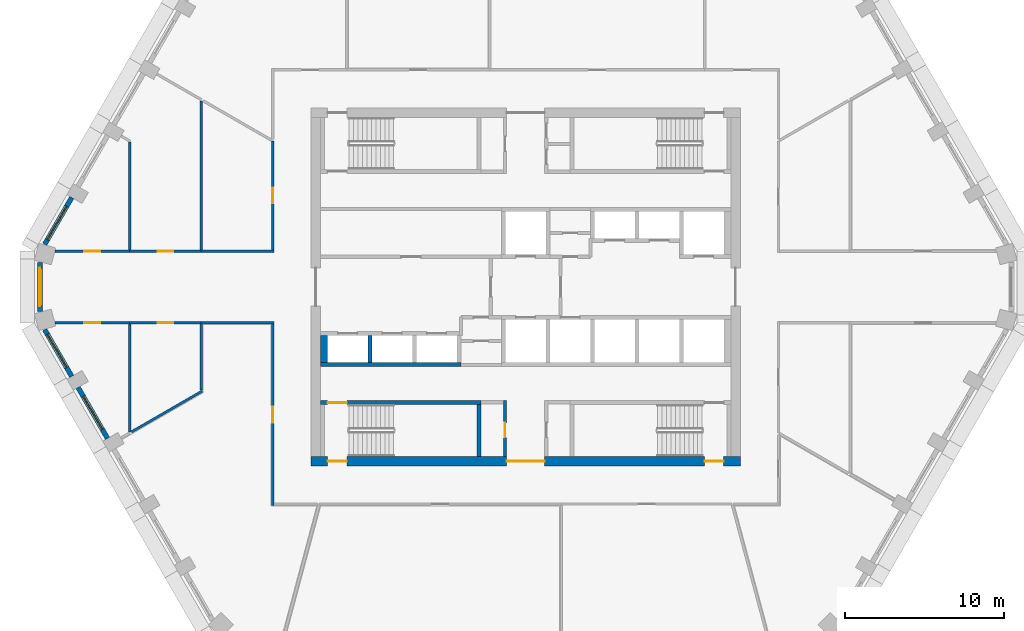
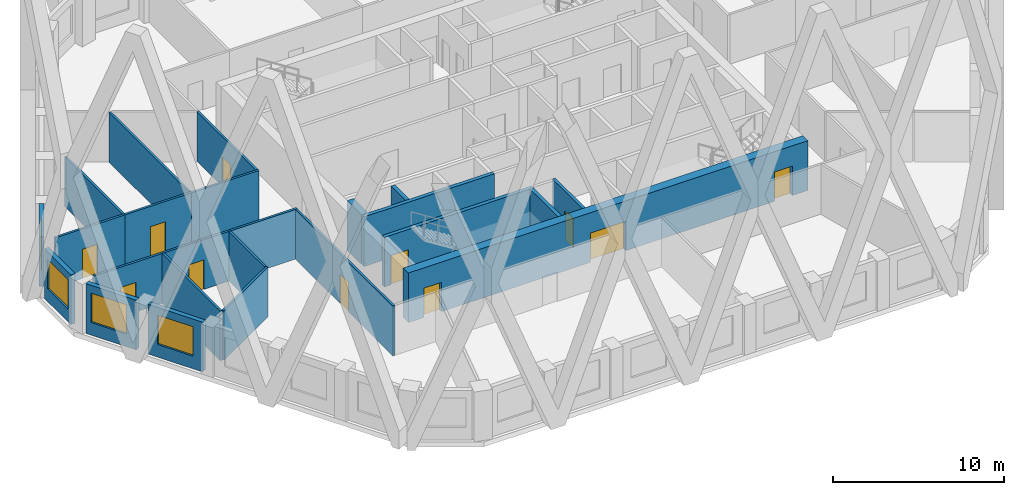
# One storey, part 2 of 15: 24 walls, 11 doors, 4 windows, 15 openings.
"""IFC4 building model written with IfcOpenShell, lengths in metres."""

from ifc_helpers import new_model, si_unit, direction, frame, frame_2d, origin, place, context, subcontext, project, spatial, polyline, rectangle, outline, extrude, material, layer, layer_set, type_object, element, fill, save


model = new_model("IFC4")

# Units and contexts
model_context = context("Model", 3, precision=1e-05, world=origin(), true_north=direction((0.0, 1.0)))
body_context = subcontext(model_context, "Body", "Model", "MODEL_VIEW")
ifc_project = project(units=[si_unit("LENGTHUNIT", "METRE"), si_unit("AREAUNIT", "SQUARE_METRE"), si_unit("VOLUMEUNIT", "CUBIC_METRE"), si_unit("PLANEANGLEUNIT", "RADIAN"), si_unit("MASSUNIT", "GRAM", prefix="KILO")], contexts=[model_context])

# Site, building, storey
site_placement = place(None, origin())
site = spatial("IfcSite", under=ifc_project, at=site_placement, CompositionType="ELEMENT")
building_placement = place(site_placement, origin())
building = spatial("IfcBuilding", under=site, at=building_placement, Name="Dhurran Vertical Campus", CompositionType="ELEMENT")
storey_placement = place(building_placement, frame((0.0, 0.0, 207.300048828125)))
storey = spatial("IfcBuildingStorey", under=building, at=storey_placement, Name="L51", CompositionType="ELEMENT", Elevation=207.300048828125)

# Wall, opening, window
ifc_material_1 = material(Name="Precast concrete C50/60", Category="concrete")
ifc_layer_1 = layer(ifc_material_1, 0.300048828125)
ifc_layer_set_1 = layer_set([ifc_layer_1], Name="Precast concrete C50/60")
wall_type_1 = type_object("IfcWallType", Name="Precast spandrel wall 300", PredefinedType="SOLIDWALL", material=ifc_layer_set_1)
wall_1_placement = place(storey_placement, frame((-28.544189453125, 5.625244140625, 0.0), z_axis=(0.0, 0.0, 1.0), x_axis=(-0.500012868213, -0.866017974191, 0.0)))
wall_1 = element("IfcWall", 1, at=wall_1_placement, inside=storey, type_object=wall_type_1, Name="EW1 L51.32", PredefinedType="SOLIDWALL", context=body_context, shape_type="SweptSolid", body=[
    extrude(rectangle(XDim=3.39599609375, YDim=0.300048828125, at=frame_2d((1.697998046875, 0.0))), origin(), (0.0, 0.0, 1.0), 3.550048828125),
])
opening_1_placement = place(wall_1_placement, frame((0.6494140625, 0.0, 0.89990234375)))
opening_1 = element("IfcOpeningElement", 2, at=opening_1_placement, cuts=wall_1, Name="Opening WT1", PredefinedType="OPENING", context=body_context, shape_type="SweptSolid", body=[
    extrude(rectangle(XDim=2.39990234375, YDim=2.10009765625, at=frame_2d((1.199951171875, 1.050048828125))), frame((0.0, 0.159912109375, 0.0), z_axis=(0.0, -1.0, 0.0), x_axis=(1.0, 0.0, 0.0)), (0.0, 0.0, 1.0), 0.320068359375),
])
ifc_material_2 = material(Name="Aluminium frame with solar-control glass", Category="aluminium")
window_type = type_object("IfcWindowType", Name="Punched window 2400 x 2100", PartitioningType="SINGLE_PANEL", PredefinedType="WINDOW", material=ifc_material_2)
window_1_placement = place(opening_1_placement, origin())
window_1 = element("IfcWindow", 3, at=window_1_placement, inside=storey, type_object=window_type, Name="WT1 L51.32", OverallHeight=2.10009765625, OverallWidth=2.39990234375, PartitioningType="SINGLE_PANEL", PredefinedType="WINDOW", context=body_context, shape_type="SweptSolid", body=[
    extrude(rectangle(XDim=2.39990234375, YDim=2.10009765625, at=frame_2d((1.199951171875, 1.050048828125))), frame((0.0, 0.030029296875, 0.0), z_axis=(0.0, -1.0, 0.0), x_axis=(1.0, 0.0, 0.0)), (0.0, 0.0, 1.0), 0.06005859375),
])
fill(opening_1, window_1)

wall_2_placement = place(storey_placement, frame((-30.547119140625, 1.54638671875, 0.0), z_axis=(0.0, 0.0, 1.0), x_axis=(0.0, -1.0, 0.0)))
wall_2 = element("IfcWall", 4, at=wall_2_placement, inside=storey, type_object=wall_type_1, Name="EW1 L51.33", PredefinedType="SOLIDWALL", context=body_context, shape_type="SweptSolid", body=[
    extrude(rectangle(XDim=3.0927734375, YDim=0.300048828125, at=frame_2d((1.54638671875, 0.0))), origin(), (0.0, 0.0, 1.0), 3.550048828125),
])
opening_2_placement = place(wall_2_placement, frame((0.34619140625, 0.0, 0.89990234375)))
opening_2 = element("IfcOpeningElement", 5, at=opening_2_placement, cuts=wall_2, Name="Opening WT1", PredefinedType="OPENING", context=body_context, shape_type="SweptSolid", body=[
    extrude(rectangle(XDim=2.39990234375, YDim=2.10009765625, at=frame_2d((1.199951171875, 1.050048828125))), frame((0.0, 0.159912109375, 0.0), z_axis=(0.0, -1.0, 0.0), x_axis=(1.0, 0.0, 0.0)), (0.0, 0.0, 1.0), 0.320068359375),
])
window_2_placement = place(opening_2_placement, origin())
window_2 = element("IfcWindow", 6, at=window_2_placement, inside=storey, type_object=window_type, Name="WT1 L51.33", OverallHeight=2.10009765625, OverallWidth=2.39990234375, PartitioningType="SINGLE_PANEL", PredefinedType="WINDOW", context=body_context, shape_type="SweptSolid", body=[
    extrude(rectangle(XDim=2.39990234375, YDim=2.10009765625, at=frame_2d((1.199951171875, 1.050048828125))), frame((0.0, 0.030029296875, 0.0), z_axis=(0.0, -1.0, 0.0), x_axis=(1.0, 0.0, 0.0)), (0.0, 0.0, 1.0), 0.06005859375),
])
fill(opening_2, window_2)

wall_3_placement = place(storey_placement, frame((-30.2421875, -2.684326171875, 0.0), z_axis=(0.0, 0.0, 1.0), x_axis=(0.500012868213, -0.866017974191, 0.0)))
wall_3 = element("IfcWall", 7, at=wall_3_placement, inside=storey, type_object=wall_type_1, Name="EW1 L51.34", PredefinedType="SOLIDWALL", context=body_context, shape_type="SweptSolid", body=[
    extrude(rectangle(XDim=3.39599609375, YDim=0.300048828125, at=frame_2d((1.697998046875, 0.0))), origin(), (0.0, 0.0, 1.0), 3.550048828125),
])
opening_3_placement = place(wall_3_placement, frame((0.346435546875, 0.0, 0.89990234375)))
opening_3 = element("IfcOpeningElement", 8, at=opening_3_placement, cuts=wall_3, Name="Opening WT1", PredefinedType="OPENING", context=body_context, shape_type="SweptSolid", body=[
    extrude(rectangle(XDim=2.39990234375, YDim=2.10009765625, at=frame_2d((1.199951171875, 1.050048828125))), frame((0.0, 0.159912109375, 0.0), z_axis=(0.0, -1.0, 0.0), x_axis=(1.0, 0.0, 0.0)), (0.0, 0.0, 1.0), 0.320068359375),
])
window_3_placement = place(opening_3_placement, origin())
window_3 = element("IfcWindow", 9, at=window_3_placement, inside=storey, type_object=window_type, Name="WT1 L51.34", OverallHeight=2.10009765625, OverallWidth=2.39990234375, PartitioningType="SINGLE_PANEL", PredefinedType="WINDOW", context=body_context, shape_type="SweptSolid", body=[
    extrude(rectangle(XDim=2.39990234375, YDim=2.10009765625, at=frame_2d((1.199951171875, 1.050048828125))), frame((0.0, 0.030029296875, 0.0), z_axis=(0.0, -1.0, 0.0), x_axis=(1.0, 0.0, 0.0)), (0.0, 0.0, 1.0), 0.06005859375),
])
fill(opening_3, window_3)

wall_4_placement = place(storey_placement, frame((-28.143798828125, -6.319091796875, 0.0), z_axis=(0.0, 0.0, 1.0), x_axis=(0.500029062817, -0.866008623709, 0.0)))
wall_4 = element("IfcWall", 10, at=wall_4_placement, inside=storey, type_object=wall_type_1, Name="EW1 L51.35", PredefinedType="SOLIDWALL", context=body_context, shape_type="SweptSolid", body=[
    extrude(rectangle(XDim=3.698974609375, YDim=0.300048828125, at=frame_2d((1.849609375, 0.0))), origin(), (0.0, 0.0, 1.0), 3.550048828125),
])
opening_4_placement = place(wall_4_placement, frame((0.6494140625, 0.0, 0.89990234375)))
opening_4 = element("IfcOpeningElement", 11, at=opening_4_placement, cuts=wall_4, Name="Opening WT1", PredefinedType="OPENING", context=body_context, shape_type="SweptSolid", body=[
    extrude(rectangle(XDim=2.39990234375, YDim=2.10009765625, at=frame_2d((1.199951171875, 1.050048828125))), frame((0.0, 0.159912109375, 0.0), z_axis=(0.0, -1.0, 0.0), x_axis=(1.0, 0.0, 0.0)), (0.0, 0.0, 1.0), 0.320068359375),
])
window_4_placement = place(opening_4_placement, origin())
window_4 = element("IfcWindow", 12, at=window_4_placement, inside=storey, type_object=window_type, Name="WT1 L51.35", OverallHeight=2.10009765625, OverallWidth=2.39990234375, PartitioningType="SINGLE_PANEL", PredefinedType="WINDOW", context=body_context, shape_type="SweptSolid", body=[
    extrude(rectangle(XDim=2.39990234375, YDim=2.10009765625, at=frame_2d((1.199951171875, 1.050048828125))), frame((0.0, 0.030029296875, 0.0), z_axis=(0.0, -1.0, 0.0), x_axis=(1.0, 0.0, 0.0)), (0.0, 0.0, 1.0), 0.06005859375),
])
fill(opening_4, window_4)

# Wall, openings, doors
ifc_material_3 = material(Name="Concrete C50/60", Category="concrete")
ifc_layer_2 = layer(ifc_material_3, 0.60009765625)
ifc_layer_set_2 = layer_set([ifc_layer_2], Name="Concrete C50/60")
wall_type_2 = type_object("IfcWallType", Name="co-CORE-WALL-C2-600", PredefinedType="SHEAR", material=ifc_layer_set_2)
wall_5_placement = place(storey_placement, frame((-13.5, -10.949951171875, 0.0), z_axis=(0.0, 0.0, 1.0), x_axis=(1.0, 0.0, 0.0)))
wall_5 = element("IfcWall", 13, at=wall_5_placement, inside=storey, type_object=wall_type_2, Name="Core wall S L51", PredefinedType="SHEAR", context=body_context, shape_type="SweptSolid", body=[
    extrude(rectangle(XDim=27.0, YDim=0.60009765625, at=frame_2d((13.5, 0.0))), origin(), (0.0, 0.0, 1.0), 3.550048828125),
])
opening_5_placement = place(wall_5_placement, frame((12.300048828125, 0.0, 0.0)))
opening_5 = element("IfcOpeningElement", 14, at=opening_5_placement, cuts=wall_5, Name="Opening CV2", PredefinedType="OPENING", context=body_context, shape_type="SweptSolid", body=[
    extrude(rectangle(XDim=2.39990234375, YDim=2.10009765625, at=frame_2d((1.199951171875, 1.050048828125))), frame((0.0, 0.31005859375, 0.0), z_axis=(0.0, -1.0, 0.0), x_axis=(1.0, 0.0, 0.0)), (0.0, 0.0, 1.0), 0.6201171875),
])
opening_6_placement = place(wall_5_placement, frame((1.050048828125, 0.0, 0.0)))
opening_6 = element("IfcOpeningElement", 15, at=opening_6_placement, cuts=wall_5, Name="Opening XD3", PredefinedType="OPENING", context=body_context, shape_type="SweptSolid", body=[
    extrude(rectangle(XDim=1.199951171875, YDim=2.10009765625, at=frame_2d((0.60009765625, 1.050048828125))), frame((0.0, 0.31005859375, 0.0), z_axis=(0.0, -1.0, 0.0), x_axis=(1.0, 0.0, 0.0)), (0.0, 0.0, 1.0), 0.6201171875),
])
opening_7_placement = place(wall_5_placement, frame((24.75, 0.0, 0.0)))
opening_7 = element("IfcOpeningElement", 16, at=opening_7_placement, cuts=wall_5, Name="Opening XD4", PredefinedType="OPENING", context=body_context, shape_type="SweptSolid", body=[
    extrude(rectangle(XDim=1.199951171875, YDim=2.10009765625, at=frame_2d((0.60009765625, 1.050048828125))), frame((0.0, 0.31005859375, 0.0), z_axis=(0.0, -1.0, 0.0), x_axis=(1.0, 0.0, 0.0)), (0.0, 0.0, 1.0), 0.6201171875),
])
ifc_material_4 = material(Name="Fire-rated glazed door set")
door_type_1 = type_object("IfcDoorType", Name="co-D-LOBBY 2400x2100", OperationType="DOUBLE_DOOR_DOUBLE_SWING", PredefinedType="DOOR", material=ifc_material_4)
door_1_placement = place(opening_5_placement, origin())
door_1 = element("IfcDoor", 17, at=door_1_placement, inside=storey, type_object=door_type_1, Name="Core vestibule door S L51", OperationType="DOUBLE_DOOR_DOUBLE_SWING", OverallHeight=2.10009765625, OverallWidth=2.39990234375, PredefinedType="DOOR", context=body_context, shape_type="SweptSolid", body=[
    extrude(rectangle(XDim=2.39990234375, YDim=2.10009765625, at=frame_2d((1.199951171875, 1.050048828125))), frame((0.0, 0.02490234375, 0.0), z_axis=(0.0, -1.0, 0.0), x_axis=(1.0, 0.0, 0.0)), (0.0, 0.0, 1.0), 0.050048828125),
])
fill(opening_5, door_1)
ifc_material_5 = material(Name="Fire-rated steel door set", Category="steel")
door_type_2 = type_object("IfcDoorType", Name="co-D-STAIR-EXIT 1200x2100", OperationType="SINGLE_SWING_RIGHT", PredefinedType="DOOR", material=ifc_material_5)
door_2_placement = place(opening_6_placement, origin())
door_2 = element("IfcDoor", 18, at=door_2_placement, inside=storey, type_object=door_type_2, Name="Stair ST3 exit door L51", OperationType="SINGLE_SWING_RIGHT", OverallHeight=2.10009765625, OverallWidth=1.199951171875, PredefinedType="DOOR", context=body_context, shape_type="SweptSolid", body=[
    extrude(rectangle(XDim=1.199951171875, YDim=2.10009765625, at=frame_2d((0.60009765625, 1.050048828125))), frame((0.0, 0.02490234375, 0.0), z_axis=(0.0, -1.0, 0.0), x_axis=(1.0, 0.0, 0.0)), (0.0, 0.0, 1.0), 0.050048828125),
])
fill(opening_6, door_2)
door_3_placement = place(opening_7_placement, origin())
door_3 = element("IfcDoor", 19, at=door_3_placement, inside=storey, type_object=door_type_2, Name="Stair ST4 exit door L51", OperationType="SINGLE_SWING_RIGHT", OverallHeight=2.10009765625, OverallWidth=1.199951171875, PredefinedType="DOOR", context=body_context, shape_type="SweptSolid", body=[
    extrude(rectangle(XDim=1.199951171875, YDim=2.10009765625, at=frame_2d((0.60009765625, 1.050048828125))), frame((0.0, 0.02490234375, 0.0), z_axis=(0.0, -1.0, 0.0), x_axis=(1.0, 0.0, 0.0)), (0.0, 0.0, 1.0), 0.050048828125),
])
fill(opening_7, door_3)

# Wall, opening, door
ifc_material_6 = material(Name="Fire-rated masonry blockwork", Category="masonry")
ifc_layer_3 = layer(ifc_material_6, 0.199951171875)
ifc_layer_set_3 = layer_set([ifc_layer_3], Name="Fire-rated masonry blockwork")
wall_type_3 = type_object("IfcWallType", Name="co-FIRE-PARTITION-200", PredefinedType="PARTITIONING", material=ifc_layer_set_3)
wall_6_placement = place(storey_placement, frame((-1.300048828125, -10.64990234375, 0.0), z_axis=(0.0, 0.0, 1.0), x_axis=(0.0, 1.0, 0.0)))
wall_6 = element("IfcWall", 20, at=wall_6_placement, inside=storey, type_object=wall_type_3, Name="Core partition vest-SW L51", PredefinedType="PARTITIONING", context=body_context, shape_type="SweptSolid", body=[
    extrude(rectangle(XDim=3.5, YDim=0.199951171875, at=frame_2d((1.75, 0.0))), origin(), (0.0, 0.0, 1.0), 3.550048828125),
])
opening_8_placement = place(wall_6_placement, frame((1.199951171875, 0.0, 0.0)))
opening_8 = element("IfcOpeningElement", 21, at=opening_8_placement, cuts=wall_6, Name="Opening T15-C1", PredefinedType="OPENING", context=body_context, shape_type="SweptSolid", body=[
    extrude(rectangle(XDim=0.89990234375, YDim=2.10009765625, at=frame_2d((0.449951171875, 1.050048828125))), frame((0.0, 0.10986328125, 0.0), z_axis=(0.0, -1.0, 0.0), x_axis=(1.0, 0.0, 0.0)), (0.0, 0.0, 1.0), 0.219970703125),
])
ifc_material_7 = material(Name="Fire-rated timber door set", Category="wood")
door_type_3 = type_object("IfcDoorType", Name="co-D-ROOM 900x2100", OperationType="SINGLE_SWING_LEFT", PredefinedType="DOOR", material=ifc_material_7)
door_4_placement = place(opening_8_placement, origin())
door_4 = element("IfcDoor", 22, at=door_4_placement, inside=storey, type_object=door_type_3, Name="Waste room door L51", OperationType="SINGLE_SWING_LEFT", OverallHeight=2.10009765625, OverallWidth=0.89990234375, PredefinedType="DOOR", context=body_context, shape_type="SweptSolid", body=[
    extrude(rectangle(XDim=0.89990234375, YDim=2.10009765625, at=frame_2d((0.449951171875, 1.050048828125))), frame((0.0, 0.02490234375, 0.0), z_axis=(0.0, -1.0, 0.0), x_axis=(1.0, 0.0, 0.0)), (0.0, 0.0, 1.0), 0.050048828125),
])
fill(opening_8, door_4)

# Walls
ifc_material_8 = material(Name="Concrete C50/60", Category="concrete")
ifc_layer_4 = layer(ifc_material_8, 0.25)
ifc_layer_set_4 = layer_set([ifc_layer_4], Name="Concrete C50/60")
wall_type_4 = type_object("IfcWallType", Name="co-SHAFT-MASS-250", PredefinedType="SHEAR", material=ifc_layer_set_4)
wall_7_placement = place(storey_placement, origin())
element("IfcWall", 23, at=wall_7_placement, inside=storey, type_object=wall_type_4, Name="Lift shaft wall S L51 1", PredefinedType="SHEAR", context=body_context, shape_type="SweptSolid", body=[
    extrude(outline(polyline([(-12.89990234375, -5.0), (-4.074951171875, -5.0), (-4.074951171875, -4.75), (-12.89990234375, -4.75), (-12.89990234375, -5.0)])), origin(), (0.0, 0.0, 1.0), 3.550048828125),
])
wall_8_placement = place(storey_placement, origin())
element("IfcWall", 24, at=wall_8_placement, inside=storey, type_object=wall_type_4, Name="Lift shaft wall S L51 3", PredefinedType="SHEAR", context=body_context, shape_type="SweptSolid", body=[
    extrude(outline(polyline([(-12.89990234375, -4.75), (-12.47509765625, -4.75), (-12.47509765625, -3.050048828125), (-12.89990234375, -3.050048828125), (-12.89990234375, -4.75)])), origin(), (0.0, 0.0, 1.0), 3.550048828125),
])
wall_9_placement = place(storey_placement, origin())
element("IfcWall", 25, at=wall_9_placement, inside=storey, type_object=wall_type_4, Name="Lift shaft wall S L51 4", PredefinedType="SHEAR", context=body_context, shape_type="SweptSolid", body=[
    extrude(outline(polyline([(-9.925048828125, -4.75), (-9.675048828125, -4.75), (-9.675048828125, -3.050048828125), (-9.925048828125, -3.050048828125), (-9.925048828125, -4.75)])), origin(), (0.0, 0.0, 1.0), 3.550048828125),
])

# Wall, opening, door
ifc_material_9 = material(Name="Concrete C40/50", Category="concrete")
ifc_layer_5 = layer(ifc_material_9, 0.25)
ifc_layer_set_5 = layer_set([ifc_layer_5], Name="Concrete C40/50")
wall_type_5 = type_object("IfcWallType", Name="co-STAIR-WALL-250", PredefinedType="SHEAR", material=ifc_layer_set_5)
wall_10_placement = place(storey_placement, frame((-12.89990234375, -7.27490234375, 0.0), z_axis=(0.0, 0.0, 1.0), x_axis=(1.0, 0.0, 0.0)))
wall_10 = element("IfcWall", 26, at=wall_10_placement, inside=storey, type_object=wall_type_5, Name="Stair ST3 enclosure wall L51", PredefinedType="SHEAR", context=body_context, shape_type="SweptSolid", body=[
    extrude(rectangle(XDim=10.099853515625, YDim=0.25, at=frame_2d((5.0498046875, 0.0))), origin(), (0.0, 0.0, 1.0), 3.550048828125),
])
opening_9_placement = place(wall_10_placement, frame((0.449951171875, 0.0, 0.0)))
opening_9 = element("IfcOpeningElement", 27, at=opening_9_placement, cuts=wall_10, Name="Opening SD3", PredefinedType="OPENING", context=body_context, shape_type="SweptSolid", body=[
    extrude(rectangle(XDim=1.199951171875, YDim=2.10009765625, at=frame_2d((0.60009765625, 1.050048828125))), frame((0.0, 0.135009765625, 0.0), z_axis=(0.0, -1.0, 0.0), x_axis=(1.0, 0.0, 0.0)), (0.0, 0.0, 1.0), 0.27001953125),
])
ifc_material_10 = material(Name="Fire-rated steel door set", Category="steel")
door_type_4 = type_object("IfcDoorType", Name="co-D-STAIR 1200x2100", OperationType="SINGLE_SWING_LEFT", PredefinedType="DOOR", material=ifc_material_10)
door_5_placement = place(opening_9_placement, origin())
door_5 = element("IfcDoor", 28, at=door_5_placement, inside=storey, type_object=door_type_4, Name="Stair ST3 door L51", OperationType="SINGLE_SWING_LEFT", OverallHeight=2.10009765625, OverallWidth=1.199951171875, PredefinedType="DOOR", context=body_context, shape_type="SweptSolid", body=[
    extrude(rectangle(XDim=1.199951171875, YDim=2.10009765625, at=frame_2d((0.60009765625, 1.050048828125))), frame((0.0, 0.02490234375, 0.0), z_axis=(0.0, -1.0, 0.0), x_axis=(1.0, 0.0, 0.0)), (0.0, 0.0, 1.0), 0.050048828125),
])
fill(opening_9, door_5)

# Wall
wall_11_placement = place(storey_placement, frame((-2.925048828125, -10.64990234375, 0.0), z_axis=(0.0, 0.0, 1.0), x_axis=(0.0, 1.0, 0.0)))
element("IfcWall", 29, at=wall_11_placement, inside=storey, type_object=wall_type_5, Name="Stair ST3 enclosure wall L51", PredefinedType="SHEAR", context=body_context, shape_type="SweptSolid", body=[
    extrude(rectangle(XDim=3.25, YDim=0.25, at=frame_2d((1.625, 0.0))), origin(), (0.0, 0.0, 1.0), 3.550048828125),
])

# Wall, opening, door
ifc_material_11 = material(Name="Gypsum board corridor wall on steel studs", Category="steel")
ifc_layer_6 = layer(ifc_material_11, 0.14990234375)
ifc_layer_set_6 = layer_set([ifc_layer_6], Name="Gypsum board corridor wall on steel studs")
wall_type_6 = type_object("IfcWallType", Name="fl-CW-150 corridor wall", PredefinedType="PARTITIONING", material=ifc_layer_set_6)
wall_12_placement = place(storey_placement, frame((-24.89990234375, -2.25, 0.0), z_axis=(0.0, 0.0, 1.0), x_axis=(-1.0, 0.0, 0.0)))
wall_12 = element("IfcWall", 30, at=wall_12_placement, inside=storey, type_object=wall_type_6, Name="Partition 51-01", PredefinedType="PARTITIONING", context=body_context, shape_type="SweptSolid", body=[
    extrude(rectangle(XDim=4.68505859375, YDim=0.14990234375, at=frame_2d((2.342529296875, 0.0))), origin(), (0.0, 0.0, 1.0), 3.550048828125),
])
opening_10_placement = place(wall_12_placement, frame((1.842529296875, 0.0, 0.0)))
opening_10 = element("IfcOpeningElement", 31, at=opening_10_placement, cuts=wall_12, Name="Opening T15.01", PredefinedType="OPENING", context=body_context, shape_type="SweptSolid", body=[
    extrude(rectangle(XDim=1.0, YDim=2.10009765625, at=frame_2d((0.5, 1.050048828125))), frame((0.0, 0.0849609375, 0.0), z_axis=(0.0, -1.0, 0.0), x_axis=(1.0, 0.0, 0.0)), (0.0, 0.0, 1.0), 0.169921875),
])
ifc_material_12 = material(Name="Solid-core timber door set, fire-rated", Category="wood")
door_type_5 = type_object("IfcDoorType", Name="fl-D-1000x2100", OperationType="SINGLE_SWING_LEFT", PredefinedType="DOOR", material=ifc_material_12)
door_6_placement = place(opening_10_placement, origin())
door_6 = element("IfcDoor", 32, at=door_6_placement, inside=storey, type_object=door_type_5, Name="Door 51.01", OperationType="SINGLE_SWING_RIGHT", OverallHeight=2.10009765625, OverallWidth=1.0, PredefinedType="DOOR", context=body_context, shape_type="SweptSolid", body=[
    extrude(rectangle(XDim=1.0, YDim=2.10009765625, at=frame_2d((0.5, 1.050048828125))), frame((0.0, 0.02490234375, 0.0), z_axis=(0.0, -1.0, 0.0), x_axis=(1.0, 0.0, 0.0)), (0.0, 0.0, 1.0), 0.050048828125),
])
fill(opening_10, door_6)

wall_13_placement = place(storey_placement, frame((-29.5849609375, 2.25, 0.0), z_axis=(0.0, 0.0, 1.0), x_axis=(1.0, 0.0, 0.0)))
wall_13 = element("IfcWall", 33, at=wall_13_placement, inside=storey, type_object=wall_type_6, Name="Partition 51-02", PredefinedType="PARTITIONING", context=body_context, shape_type="SweptSolid", body=[
    extrude(rectangle(XDim=4.68505859375, YDim=0.14990234375, at=frame_2d((2.342529296875, 0.0))), origin(), (0.0, 0.0, 1.0), 3.550048828125),
])
opening_11_placement = place(wall_13_placement, frame((1.842529296875, 0.0, 0.0)))
opening_11 = element("IfcOpeningElement", 34, at=opening_11_placement, cuts=wall_13, Name="Opening T15.02", PredefinedType="OPENING", context=body_context, shape_type="SweptSolid", body=[
    extrude(rectangle(XDim=1.0, YDim=2.10009765625, at=frame_2d((0.5, 1.050048828125))), frame((0.0, 0.0849609375, 0.0), z_axis=(0.0, -1.0, 0.0), x_axis=(1.0, 0.0, 0.0)), (0.0, 0.0, 1.0), 0.169921875),
])
door_7_placement = place(opening_11_placement, origin())
door_7 = element("IfcDoor", 35, at=door_7_placement, inside=storey, type_object=door_type_5, Name="Door 51.02", OperationType="SINGLE_SWING_LEFT", OverallHeight=2.10009765625, OverallWidth=1.0, PredefinedType="DOOR", context=body_context, shape_type="SweptSolid", body=[
    extrude(rectangle(XDim=1.0, YDim=2.10009765625, at=frame_2d((0.5, 1.050048828125))), frame((0.0, 0.02490234375, 0.0), z_axis=(0.0, -1.0, 0.0), x_axis=(1.0, 0.0, 0.0)), (0.0, 0.0, 1.0), 0.050048828125),
])
fill(opening_11, door_7)

wall_14_placement = place(storey_placement, frame((-20.39990234375, -2.25, 0.0), z_axis=(0.0, 0.0, 1.0), x_axis=(-1.0, 0.0, 0.0)))
wall_14 = element("IfcWall", 36, at=wall_14_placement, inside=storey, type_object=wall_type_6, Name="Partition 51-07", PredefinedType="PARTITIONING", context=body_context, shape_type="SweptSolid", body=[
    extrude(rectangle(XDim=4.5, YDim=0.14990234375, at=frame_2d((2.25, 0.0))), origin(), (0.0, 0.0, 1.0), 3.550048828125),
])
opening_12_placement = place(wall_14_placement, frame((1.75, 0.0, 0.0)))
opening_12 = element("IfcOpeningElement", 37, at=opening_12_placement, cuts=wall_14, Name="Opening T15.03", PredefinedType="OPENING", context=body_context, shape_type="SweptSolid", body=[
    extrude(rectangle(XDim=1.0, YDim=2.10009765625, at=frame_2d((0.5, 1.050048828125))), frame((0.0, 0.0849609375, 0.0), z_axis=(0.0, -1.0, 0.0), x_axis=(1.0, 0.0, 0.0)), (0.0, 0.0, 1.0), 0.169921875),
])
door_8_placement = place(opening_12_placement, origin())
door_8 = element("IfcDoor", 38, at=door_8_placement, inside=storey, type_object=door_type_5, Name="Door 51.03", OperationType="SINGLE_SWING_RIGHT", OverallHeight=2.10009765625, OverallWidth=1.0, PredefinedType="DOOR", context=body_context, shape_type="SweptSolid", body=[
    extrude(rectangle(XDim=1.0, YDim=2.10009765625, at=frame_2d((0.5, 1.050048828125))), frame((0.0, 0.02490234375, 0.0), z_axis=(0.0, -1.0, 0.0), x_axis=(1.0, 0.0, 0.0)), (0.0, 0.0, 1.0), 0.050048828125),
])
fill(opening_12, door_8)

wall_15_placement = place(storey_placement, frame((-24.89990234375, 2.25, 0.0), z_axis=(0.0, 0.0, 1.0), x_axis=(1.0, 0.0, 0.0)))
wall_15 = element("IfcWall", 39, at=wall_15_placement, inside=storey, type_object=wall_type_6, Name="Partition 51-09", PredefinedType="PARTITIONING", context=body_context, shape_type="SweptSolid", body=[
    extrude(rectangle(XDim=4.5, YDim=0.14990234375, at=frame_2d((2.25, 0.0))), origin(), (0.0, 0.0, 1.0), 3.550048828125),
])
opening_13_placement = place(wall_15_placement, frame((1.75, 0.0, 0.0)))
opening_13 = element("IfcOpeningElement", 40, at=opening_13_placement, cuts=wall_15, Name="Opening T15.04", PredefinedType="OPENING", context=body_context, shape_type="SweptSolid", body=[
    extrude(rectangle(XDim=1.0, YDim=2.10009765625, at=frame_2d((0.5, 1.050048828125))), frame((0.0, 0.0849609375, 0.0), z_axis=(0.0, -1.0, 0.0), x_axis=(1.0, 0.0, 0.0)), (0.0, 0.0, 1.0), 0.169921875),
])
door_9_placement = place(opening_13_placement, origin())
door_9 = element("IfcDoor", 41, at=door_9_placement, inside=storey, type_object=door_type_5, Name="Door 51.04", OperationType="SINGLE_SWING_RIGHT", OverallHeight=2.10009765625, OverallWidth=1.0, PredefinedType="DOOR", context=body_context, shape_type="SweptSolid", body=[
    extrude(rectangle(XDim=1.0, YDim=2.10009765625, at=frame_2d((0.5, 1.050048828125))), frame((0.0, 0.02490234375, 0.0), z_axis=(0.0, -1.0, 0.0), x_axis=(1.0, 0.0, 0.0)), (0.0, 0.0, 1.0), 0.050048828125),
])
fill(opening_13, door_9)

# Walls
for number, where, z_axis, x_axis, name in (
    (42, (-15.824951171875, -2.25, 0.0), (0.0, 0.0, 1.0), (-1.0, 0.0, 0.0), "Partition 51-12"),
    (43, (-20.39990234375, 2.25, 0.0), (0.0, 0.0, 1.0), (1.0, 0.0, 0.0), "Partition 51-14"),
):
    element("IfcWall", number, at=place(storey_placement, frame(where, z_axis=z_axis, x_axis=x_axis)), inside=storey, type_object=wall_type_6, Name=name, PredefinedType="PARTITIONING", context=body_context, shape_type="SweptSolid", body=[
        extrude(rectangle(XDim=4.574951171875, YDim=0.14990234375, at=frame_2d((2.28759765625, 0.0))), origin(), (0.0, 0.0, 1.0), 3.550048828125),
    ])

# Wall, opening, door
wall_16_placement = place(storey_placement, frame((-15.89990234375, -2.324951171875, 0.0), z_axis=(0.0, 0.0, 1.0), x_axis=(0.0, -1.0, 0.0)))
wall_16 = element("IfcWall", 44, at=wall_16_placement, inside=storey, type_object=wall_type_6, Name="Partition 51-16", PredefinedType="PARTITIONING", context=body_context, shape_type="SweptSolid", body=[
    extrude(rectangle(XDim=11.400146484375, YDim=0.14990234375, at=frame_2d((5.7001953125, 0.0))), origin(), (0.0, 0.0, 1.0), 3.550048828125),
])
opening_14_placement = place(wall_16_placement, frame((5.199951171875, 0.0, 0.0)))
opening_14 = element("IfcOpeningElement", 45, at=opening_14_placement, cuts=wall_16, Name="Opening T15.05", PredefinedType="OPENING", context=body_context, shape_type="SweptSolid", body=[
    extrude(rectangle(XDim=1.0, YDim=2.10009765625, at=frame_2d((0.5, 1.050048828125))), frame((0.0, 0.0849609375, 0.0), z_axis=(0.0, -1.0, 0.0), x_axis=(1.0, 0.0, 0.0)), (0.0, 0.0, 1.0), 0.169921875),
])
door_10_placement = place(opening_14_placement, origin())
door_10 = element("IfcDoor", 46, at=door_10_placement, inside=storey, type_object=door_type_5, Name="Door 51.05", OperationType="SINGLE_SWING_LEFT", OverallHeight=2.10009765625, OverallWidth=1.0, PredefinedType="DOOR", context=body_context, shape_type="SweptSolid", body=[
    extrude(rectangle(XDim=1.0, YDim=2.10009765625, at=frame_2d((0.5, 1.050048828125))), frame((0.0, 0.02490234375, 0.0), z_axis=(0.0, -1.0, 0.0), x_axis=(1.0, 0.0, 0.0)), (0.0, 0.0, 1.0), 0.050048828125),
])
fill(opening_14, door_10)

wall_17_placement = place(storey_placement, frame((-15.89990234375, 9.179931640625, 0.0), z_axis=(0.0, 0.0, 1.0), x_axis=(0.0, -1.0, 0.0)))
wall_17 = element("IfcWall", 47, at=wall_17_placement, inside=storey, type_object=wall_type_6, Name="Partition 51-18", PredefinedType="PARTITIONING", context=body_context, shape_type="SweptSolid", body=[
    extrude(rectangle(XDim=6.85498046875, YDim=0.14990234375, at=frame_2d((3.427490234375, 0.0))), origin(), (0.0, 0.0, 1.0), 3.550048828125),
])
opening_15_placement = place(wall_17_placement, frame((2.927490234375, 0.0, 0.0)))
opening_15 = element("IfcOpeningElement", 48, at=opening_15_placement, cuts=wall_17, Name="Opening T15.06", PredefinedType="OPENING", context=body_context, shape_type="SweptSolid", body=[
    extrude(rectangle(XDim=1.0, YDim=2.10009765625, at=frame_2d((0.5, 1.050048828125))), frame((0.0, 0.0849609375, 0.0), z_axis=(0.0, -1.0, 0.0), x_axis=(1.0, 0.0, 0.0)), (0.0, 0.0, 1.0), 0.169921875),
])
door_11_placement = place(opening_15_placement, origin())
door_11 = element("IfcDoor", 49, at=door_11_placement, inside=storey, type_object=door_type_5, Name="Door 51.06", OperationType="SINGLE_SWING_RIGHT", OverallHeight=2.10009765625, OverallWidth=1.0, PredefinedType="DOOR", context=body_context, shape_type="SweptSolid", body=[
    extrude(rectangle(XDim=1.0, YDim=2.10009765625, at=frame_2d((0.5, 1.050048828125))), frame((0.0, 0.02490234375, 0.0), z_axis=(0.0, -1.0, 0.0), x_axis=(1.0, 0.0, 0.0)), (0.0, 0.0, 1.0), 0.050048828125),
])
fill(opening_15, door_11)

# Walls
ifc_material_13 = material(Name="Gypsum board partition on steel studs", Category="steel")
ifc_layer_7 = layer(ifc_material_13, 0.14990234375)
ifc_layer_set_7 = layer_set([ifc_layer_7], Name="Gypsum board partition on steel studs")
wall_type_7 = type_object("IfcWallType", Name="fl-PW-150 fixed partition", PredefinedType="PARTITIONING", material=ifc_layer_set_7)
wall_18_placement = place(storey_placement, frame((-24.89990234375, -2.324951171875, 0.0), z_axis=(0.0, 0.0, 1.0), x_axis=(0.0, -1.0, 0.0)))
element("IfcWall", 50, at=wall_18_placement, inside=storey, type_object=wall_type_7, Name="Partition 51-05", PredefinedType="PARTITIONING", context=body_context, shape_type="SweptSolid", body=[
    extrude(rectangle(XDim=6.780029296875, YDim=0.14990234375, at=frame_2d((3.39013671875, 0.0))), origin(), (0.0, 0.0, 1.0), 3.550048828125),
])
wall_19_placement = place(storey_placement, frame((-20.3349609375, -6.54443359375, 0.0), z_axis=(0.0, 0.0, 1.0), x_axis=(-0.86602821796, -0.499995125673, 0.0)))
element("IfcWall", 51, at=wall_19_placement, inside=storey, type_object=wall_type_7, Name="Partition 51-06", PredefinedType="PARTITIONING", context=body_context, shape_type="SweptSolid", body=[
    extrude(rectangle(XDim=5.14111328125, YDim=0.14990234375, at=frame_2d((2.570556640625, 0.0))), origin(), (0.0, 0.0, 1.0), 3.550048828125),
])
wall_20_placement = place(storey_placement, frame((-24.89990234375, 9.10498046875, 0.0), z_axis=(0.0, 0.0, 1.0), x_axis=(0.0, -1.0, 0.0)))
element("IfcWall", 52, at=wall_20_placement, inside=storey, type_object=wall_type_7, Name="Partition 51-08", PredefinedType="PARTITIONING", context=body_context, shape_type="SweptSolid", body=[
    extrude(rectangle(XDim=6.780029296875, YDim=0.14990234375, at=frame_2d((3.39013671875, 0.0))), origin(), (0.0, 0.0, 1.0), 3.550048828125),
])
wall_21_placement = place(storey_placement, frame((-20.39990234375, -2.324951171875, 0.0), z_axis=(0.0, 0.0, 1.0), x_axis=(0.0, -1.0, 0.0)))
element("IfcWall", 53, at=wall_21_placement, inside=storey, type_object=wall_type_7, Name="Partition 51-11", PredefinedType="PARTITIONING", context=body_context, shape_type="SweptSolid", body=[
    extrude(rectangle(XDim=4.156982421875, YDim=0.14990234375, at=frame_2d((2.07861328125, 0.0))), origin(), (0.0, 0.0, 1.0), 3.550048828125),
])
wall_22_placement = place(storey_placement, frame((-20.39990234375, 11.702880859375, 0.0), z_axis=(0.0, 0.0, 1.0), x_axis=(0.0, -1.0, 0.0)))
element("IfcWall", 54, at=wall_22_placement, inside=storey, type_object=wall_type_7, Name="Partition 51-13", PredefinedType="PARTITIONING", context=body_context, shape_type="SweptSolid", body=[
    extrude(rectangle(XDim=9.3779296875, YDim=0.14990234375, at=frame_2d((4.68896484375, 0.0))), origin(), (0.0, 0.0, 1.0), 3.550048828125),
])

save(model, "model.ifc")
